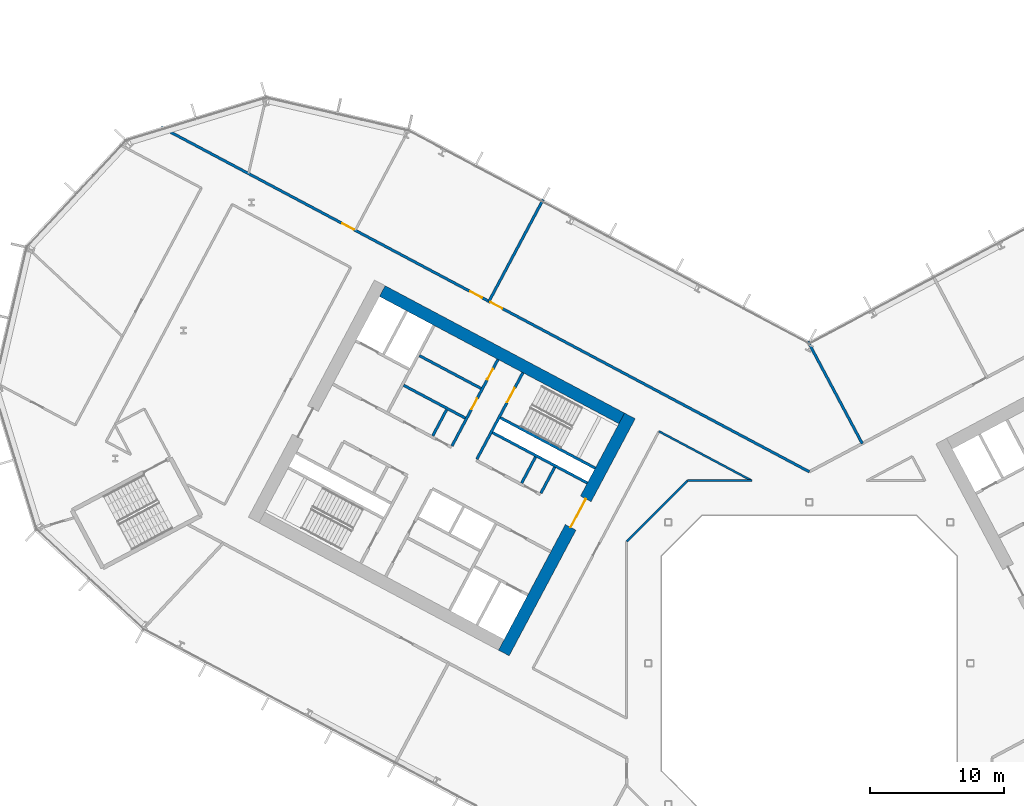
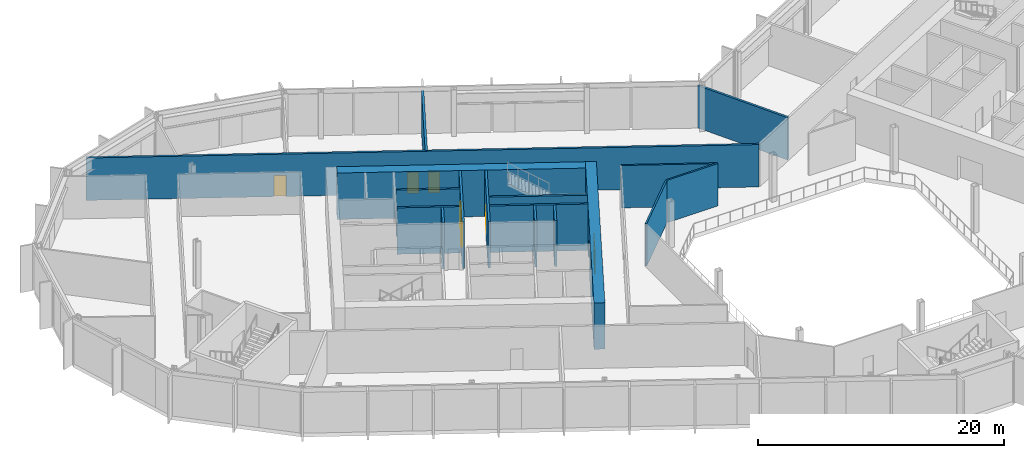
# One storey, part 16 of 31: 17 walls, 7 doors, 7 openings.
"""IFC4 building model written with IfcOpenShell, lengths in metres."""

import ifcopenshell
import ifcopenshell.guid

model = None  # the IFC model being written
_history = None  # IfcOwnerHistory: only IFC2X3 demands one
_inside = {}  # id of a spatial element -> (the spatial element, [elements in it])
_under = {}  # id of a project, library or spatial element -> (it, [spatial elements below it])
_declared = {}  # id of a project -> (the project, [libraries it declares])
_typed = {}  # id of a type object -> (the type object, [elements of that type])
_made_of = {}  # id of a material, layer set ... -> (it, [elements and type objects made of it])


def new_model(schema):
    """Start an empty IFC model of exactly this schema.

    Asked for "IFC4X3", IfcOpenShell would pick the latest addendum, in which some entities
    have other attributes; the version numbers below select the first issue.
    IFC2X3 requires an IfcOwnerHistory on every rooted entity: one is made here for all.
    """
    global model, _history
    if schema == "IFC4X3":
        model = ifcopenshell.file(schema_version=(4, 3, 0, 0))
    else:
        model = ifcopenshell.file(schema=schema)
    _inside.clear()
    _under.clear()
    _declared.clear()
    _typed.clear()
    _made_of.clear()
    _history = None
    if model.schema == "IFC2X3":
        org = make("IfcOrganization", Name="unknown")
        user = make(
            "IfcPersonAndOrganization",
            ThePerson=make("IfcPerson", FamilyName="unknown"),
            TheOrganization=org,
        )
        app = make(
            "IfcApplication",
            ApplicationDeveloper=org,
            Version="unknown",
            ApplicationFullName="unknown",
            ApplicationIdentifier="unknown",
        )
        _history = make(
            "IfcOwnerHistory",
            OwningUser=user,
            OwningApplication=app,
            ChangeAction="ADDED",
            CreationDate=0,
        )
    return model


def make(cls, **values):
    """One entity of the class cls with the attributes given. An attribute that is None is left unset."""
    return model.create_entity(
        cls, **{name: value for name, value in values.items() if value is not None}
    )


def rooted(cls, **values):
    """An entity with a GlobalId (a new one), such as an element, a storey or a relation."""
    return make(cls, GlobalId=ifcopenshell.guid.new(), OwnerHistory=_history, **values)


def si_unit(unit_type, name, prefix=None):
    """IfcSIUnit, for example si_unit("LENGTHUNIT", "METRE", prefix="MILLI")."""
    return make("IfcSIUnit", UnitType=unit_type, Prefix=prefix, Name=name)


def assignment(units):
    """IfcUnitAssignment: the units of a project."""
    return None if units is None else make("IfcUnitAssignment", Units=units)


def point(xyz):
    """IfcCartesianPoint."""
    return None if xyz is None else make("IfcCartesianPoint", Coordinates=xyz)


def direction(xyz):
    """IfcDirection."""
    return None if xyz is None else make("IfcDirection", DirectionRatios=xyz)


def frame(location, z_axis=None, x_axis=None):
    """IfcAxis2Placement3D, a coordinate frame: its origin and axes. An axis left out is left unset."""
    return make(
        "IfcAxis2Placement3D",
        Location=point(location),
        Axis=direction(z_axis),
        RefDirection=direction(x_axis),
    )


def frame_2d(location, x_axis=None):
    """IfcAxis2Placement2D, a coordinate frame in the plane: its origin and x axis."""
    return make(
        "IfcAxis2Placement2D", Location=point(location), RefDirection=direction(x_axis)
    )


def origin():
    """The frame at (0, 0, 0) with its axes left unset."""
    return frame((0.0, 0.0, 0.0))


def place(relative_to, where):
    """IfcLocalPlacement: puts the frame where relative to a parent placement (None: the world)."""
    return make(
        "IfcLocalPlacement", PlacementRelTo=relative_to, RelativePlacement=where
    )


def context(
    kind, dimensions, precision=None, world=None, true_north=None, identifier=None
):
    """IfcGeometricRepresentationContext, for example the 3D "Model" context."""
    return make(
        "IfcGeometricRepresentationContext",
        ContextIdentifier=identifier,
        ContextType=kind,
        CoordinateSpaceDimension=dimensions,
        Precision=precision,
        WorldCoordinateSystem=world,
        TrueNorth=true_north,
    )


def subcontext(parent, identifier, kind, view, scale=None):
    """IfcGeometricRepresentationSubContext, for example "Body" below "Model"."""
    return make(
        "IfcGeometricRepresentationSubContext",
        ContextIdentifier=identifier,
        ContextType=kind,
        ParentContext=parent,
        TargetScale=scale,
        TargetView=view,
    )


def project(units=None, contexts=None):
    """IfcProject with its units and contexts."""
    return rooted(
        "IfcProject",
        Name="project",
        RepresentationContexts=contexts,
        UnitsInContext=assignment(units),
    )


def spatial(cls, under=None, at=None, **own):
    """A site, building, storey or space (cls), placed at a placement, below another one or the project."""
    s = rooted(cls, ObjectPlacement=at, **own)
    if under is not None:
        _under.setdefault(under.id(), (under, []))[1].append(s)
    return s


def profile(cls, at=None, kind="AREA", **sizes):
    """A parametric profile (cls). Its sizes go by their IFC names, for example OverallWidth=200.0."""
    return make(cls, ProfileType=kind, Position=at, **sizes)


def rectangle(**sizes):
    """IfcRectangleProfileDef."""
    return profile("IfcRectangleProfileDef", **sizes)


def extrude(swept, where, along, depth):
    """IfcExtrudedAreaSolid: the profile swept, set in the frame where, extruded along a direction by depth."""
    return make(
        "IfcExtrudedAreaSolid",
        SweptArea=swept,
        Position=where,
        ExtrudedDirection=direction(along),
        Depth=depth,
    )


def shape(context_of_items, identifier, shape_type, items):
    """IfcShapeRepresentation: the items that make up one representation, for example the "Body"."""
    return make(
        "IfcShapeRepresentation",
        ContextOfItems=context_of_items,
        RepresentationIdentifier=identifier,
        RepresentationType=shape_type,
        Items=items,
    )


def material(Name=None, Category=None):
    """IfcMaterial."""
    return make("IfcMaterial", Name=Name, Category=Category)


def layer(
    of_material, thickness, ventilated=None, Name=None, Category=None, Priority=None
):
    """IfcMaterialLayer: one layer of a wall or slab, of a material (None: an air gap)."""
    return make(
        "IfcMaterialLayer",
        Material=of_material,
        LayerThickness=thickness,
        IsVentilated=ventilated,
        Name=Name,
        Category=Category,
        Priority=Priority,
    )


def layer_set(layers, Name=None):
    """IfcMaterialLayerSet."""
    return make("IfcMaterialLayerSet", MaterialLayers=layers, LayerSetName=Name)


def made_of(thing, what):
    """Note that an element or type object is made of a material, layer set ...; save() writes the relation."""
    if what is not None:
        _made_of.setdefault(what.id(), (what, []))[1].append(thing)
    return thing


def type_object(cls, material=None, **own):
    """A type object (cls), such as IfcWallType, which elements share."""
    return made_of(rooted(cls, **own), material)


def element(
    cls,
    number,
    at=None,
    inside=None,
    cuts=None,
    type_object=None,
    material=None,
    context=None,
    identifier="Body",
    shape_type=None,
    held_by="IfcProductDefinitionShape",
    body=None,
    shapes=None,
    **own,
):
    """One element of the class cls, such as IfcWall. Its Tag is "e" and its number.

    at: its placement. inside: the storey or other place that contains it. cuts: it is an
    opening in that element (IfcRelVoidsElement). A single representation is given by context,
    identifier, shape_type and body (its items); several are given by shapes. held_by: the class
    of the entity that holds the representations. save() writes the other relations.
    """
    e = rooted(cls, Tag="e%d" % number, ObjectPlacement=at, **own)
    if body is not None:
        shapes = [shape(context, identifier, shape_type, body)]
    if shapes is not None:
        e.Representation = make(held_by, Representations=shapes)
    if inside is not None:
        _inside.setdefault(inside.id(), (inside, []))[1].append(e)
    if cuts is not None:
        rooted(
            "IfcRelVoidsElement", RelatingBuildingElement=cuts, RelatedOpeningElement=e
        )
    if type_object is not None:
        _typed.setdefault(type_object.id(), (type_object, []))[1].append(e)
    return made_of(e, material)


def fill(opening, filler):
    """IfcRelFillsElement: the door or window that sits in an opening."""
    return rooted(
        "IfcRelFillsElement",
        RelatingOpeningElement=opening,
        RelatedBuildingElement=filler,
    )


def aggregate(whole, parts):
    """IfcRelAggregates: a whole, such as a stair, and the parts it consists of."""
    return rooted("IfcRelAggregates", RelatingObject=whole, RelatedObjects=parts)


def save(model, path):
    """Write the relations noted so far, then the file.

    IfcRelAggregates (storeys below a building ...), IfcRelContainedInSpatialStructure (elements
    in a storey), IfcRelDefinesByType, IfcRelAssociatesMaterial and IfcRelDeclares: one each for
    every whole, place, type object, material and project.
    """
    for whole, parts in _under.values():
        aggregate(whole, parts)
    for where, things in _inside.values():
        rooted(
            "IfcRelContainedInSpatialStructure",
            RelatedElements=things,
            RelatingStructure=where,
        )
    for kind, things in _typed.values():
        rooted("IfcRelDefinesByType", RelatedObjects=things, RelatingType=kind)
    for what, things in _made_of.values():
        rooted("IfcRelAssociatesMaterial", RelatedObjects=things, RelatingMaterial=what)
    for by, libraries in _declared.values():
        rooted("IfcRelDeclares", RelatingContext=by, RelatedDefinitions=libraries)
    model.write(path)


model = new_model("IFC4")

# Units and contexts
model_context = context("Model", 3, precision=1e-05, world=origin(), true_north=direction((0.0, 1.0)))
body_context = subcontext(model_context, "Body", "Model", "MODEL_VIEW")
ifc_project = project(units=[si_unit("LENGTHUNIT", "METRE"), si_unit("AREAUNIT", "SQUARE_METRE"), si_unit("VOLUMEUNIT", "CUBIC_METRE"), si_unit("PLANEANGLEUNIT", "RADIAN"), si_unit("MASSUNIT", "GRAM", prefix="KILO")], contexts=[model_context])

# Site, building, storey
site_placement = place(None, origin())
site = spatial("IfcSite", under=ifc_project, at=site_placement, CompositionType="ELEMENT")
building_placement = place(site_placement, origin())
building = spatial("IfcBuilding", under=site, at=building_placement, Name="Cormorant Relay Tower", CompositionType="ELEMENT")
storey_placement = place(building_placement, frame((0.0, 0.0, 93.800048828125)))
storey = spatial("IfcBuildingStorey", under=building, at=storey_placement, Name="L18", CompositionType="ELEMENT", Elevation=93.800048828125)

# Walls
ifc_material_1 = material(Name="Concrete 40 MPa", Category="concrete")
ifc_layer_1 = layer(ifc_material_1, 0.199951171875)
ifc_layer_set_1 = layer_set([ifc_layer_1], Name="Core internal wall 200")
wall_type_1 = type_object("IfcWallType", Name="Core internal wall 200", PredefinedType="SOLIDWALL", material=ifc_layer_set_1)
for number, where, z_axis, x_axis, name in (
    (1, (-20.39013671875, 15.371826171875, 0.0), (0.0, 0.0, 1.0), (-0.4694473164, -0.882960484464, 0.0), "L18 core A shaft and room wall"),
    (2, (-27.01220703125, 18.892822265625, 0.0), (0.0, 0.0, 1.0), (-0.4694473164, -0.882960484464, 0.0), "L18 core A shaft and room wall"),
):
    element("IfcWall", number, at=place(storey_placement, frame(where, z_axis=z_axis, x_axis=x_axis)), inside=storey, type_object=wall_type_1, Name=name, PredefinedType="SOLIDWALL", context=body_context, shape_type="SweptSolid", body=[
        extrude(rectangle(XDim=2.199951171875, YDim=0.199951171875, at=frame_2d((1.10009765625, 0.0))), origin(), (0.0, 0.0, 1.0), 4.599853515625),
    ])
wall_1_placement = place(storey_placement, frame((-24.449462890625, 20.474853515625, 0.0), z_axis=(0.0, 0.0, 1.0), x_axis=(-0.882934506056, 0.469496174655, 0.0)))
element("IfcWall", 3, at=wall_1_placement, inside=storey, type_object=wall_type_1, Name="L18 core A shaft and room wall", PredefinedType="SOLIDWALL", context=body_context, shape_type="SweptSolid", body=[
    extrude(rectangle(XDim=5.199951171875, YDim=0.199951171875, at=frame_2d((2.60009765625, 0.0))), origin(), (0.0, 0.0, 1.0), 4.599853515625),
])
ifc_material_2 = material(Name="Concrete 50 MPa", Category="concrete")
ifc_layer_2 = layer(ifc_material_2, 0.199951171875)
ifc_layer_set_2 = layer_set([ifc_layer_2], Name="Core shaft wall 200")
wall_type_2 = type_object("IfcWallType", Name="Core shaft wall 200", PredefinedType="SHEAR", material=ifc_layer_set_2)
wall_2_placement = place(storey_placement, frame((-18.959716796875, 14.611328125, 0.0), z_axis=(0.0, 0.0, 1.0), x_axis=(-0.4694473164, -0.882960484464, 0.0)))
element("IfcWall", 4, at=wall_2_placement, inside=storey, type_object=wall_type_2, Name="L18 core A shaft wall", PredefinedType="SHEAR", context=body_context, shape_type="SweptSolid", body=[
    extrude(rectangle(XDim=2.199951171875, YDim=0.199951171875, at=frame_2d((1.10009765625, 0.0))), origin(), (0.0, 0.0, 1.0), 4.599853515625),
])

# Wall, opening, door
wall_3_placement = place(storey_placement, frame((-21.333251953125, 21.6494140625, 0.0), z_axis=(0.0, 0.0, 1.0), x_axis=(-0.469494272526, -0.882935517501, 0.0)))
wall_3 = element("IfcWall", 5, at=wall_3_placement, inside=storey, type_object=wall_type_2, Name="L18 core A shaft wall", PredefinedType="SHEAR", context=body_context, shape_type="SweptSolid", body=[
    extrude(rectangle(XDim=7.2998046875, YDim=0.199951171875, at=frame_2d((3.64990234375, 0.0))), origin(), (0.0, 0.0, 1.0), 4.599853515625),
])
opening_1_placement = place(wall_3_placement, frame((1.300048828125, 0.0, 0.0)))
opening_1 = element("IfcOpeningElement", 6, at=opening_1_placement, cuts=wall_3, Name="Opening CDB-024", PredefinedType="OPENING", context=body_context, shape_type="SweptSolid", body=[
    extrude(rectangle(XDim=1.199951171875, YDim=2.10009765625, at=frame_2d((0.60009765625, 1.050048828125))), frame((0.0, 0.10986328125, 0.0), z_axis=(0.0, -1.0, 0.0), x_axis=(1.0, 0.0, 0.0)), (0.0, 0.0, 1.0), 0.219970703125),
])
ifc_material_3 = material(Name="Steel fire door", Category="steel")
door_type_1 = type_object("IfcDoorType", Name="Core stair door 1200x2100", OperationType="SINGLE_SWING_LEFT", PredefinedType="DOOR", material=ifc_material_3)
door_1_placement = place(opening_1_placement, origin())
door_1 = element("IfcDoor", 7, at=door_1_placement, inside=storey, type_object=door_type_1, Name="Core stair door 1200x2100", OperationType="SINGLE_SWING_RIGHT", OverallHeight=2.10009765625, OverallWidth=1.199951171875, PredefinedType="DOOR", context=body_context, shape_type="SweptSolid", body=[
    extrude(rectangle(XDim=1.199951171875, YDim=2.10009765625, at=frame_2d((0.60009765625, 1.050048828125))), frame((0.0, 0.02490234375, 0.0), z_axis=(0.0, -1.0, 0.0), x_axis=(1.0, 0.0, 0.0)), (0.0, 0.0, 1.0), 0.050048828125),
])
fill(opening_1, door_1)

# Wall, openings, doors
wall_4_placement = place(storey_placement, frame((-23.1875, 22.635498046875, 0.0), z_axis=(0.0, 0.0, 1.0), x_axis=(-0.469454336211, -0.882956752176, 0.0)))
wall_4 = element("IfcWall", 8, at=wall_4_placement, inside=storey, type_object=wall_type_2, Name="L18 core A shaft wall", PredefinedType="SHEAR", context=body_context, shape_type="SweptSolid", body=[
    extrude(rectangle(XDim=7.300048828125, YDim=0.199951171875, at=frame_2d((3.64990234375, 0.0))), origin(), (0.0, 0.0, 1.0), 4.599853515625),
])
opening_2_placement = place(wall_4_placement, frame((0.800048828125, 0.0, 0.0)))
opening_2 = element("IfcOpeningElement", 9, at=opening_2_placement, cuts=wall_4, Name="Opening CDD-117", PredefinedType="OPENING", context=body_context, shape_type="SweptSolid", body=[
    extrude(rectangle(XDim=0.89990234375, YDim=2.10009765625, at=frame_2d((0.449951171875, 1.050048828125))), frame((0.0, 0.10986328125, 0.0), z_axis=(0.0, -1.0, 0.0), x_axis=(1.0, 0.0, 0.0)), (0.0, 0.0, 1.0), 0.219970703125),
])
opening_3_placement = place(wall_4_placement, frame((3.300048828125, 0.0, 0.0)))
opening_3 = element("IfcOpeningElement", 10, at=opening_3_placement, cuts=wall_4, Name="Opening CDD-140", PredefinedType="OPENING", context=body_context, shape_type="SweptSolid", body=[
    extrude(rectangle(XDim=0.89990234375, YDim=2.10009765625, at=frame_2d((0.449951171875, 1.050048828125))), frame((0.0, 0.10986328125, 0.0), z_axis=(0.0, -1.0, 0.0), x_axis=(1.0, 0.0, 0.0)), (0.0, 0.0, 1.0), 0.219970703125),
])
ifc_material_4 = material(Name="Steel fire door", Category="steel")
door_type_2 = type_object("IfcDoorType", Name="Core room door 900x2100", OperationType="SINGLE_SWING_LEFT", PredefinedType="DOOR", material=ifc_material_4)
door_2_placement = place(opening_2_placement, origin())
door_2 = element("IfcDoor", 11, at=door_2_placement, inside=storey, type_object=door_type_2, Name="Core room door 900x2100", OperationType="SINGLE_SWING_LEFT", OverallHeight=2.10009765625, OverallWidth=0.89990234375, PredefinedType="DOOR", context=body_context, shape_type="SweptSolid", body=[
    extrude(rectangle(XDim=0.89990234375, YDim=2.10009765625, at=frame_2d((0.449951171875, 1.050048828125))), frame((0.0, 0.02490234375, 0.0), z_axis=(0.0, -1.0, 0.0), x_axis=(1.0, 0.0, 0.0)), (0.0, 0.0, 1.0), 0.050048828125),
])
fill(opening_2, door_2)
door_3_placement = place(opening_3_placement, frame((0.89990234375, 0.0, 0.0), z_axis=(0.0, 0.0, 1.0), x_axis=(-1.0, 0.0, 0.0)))
door_3 = element("IfcDoor", 12, at=door_3_placement, inside=storey, type_object=door_type_2, Name="Core room door 900x2100", OperationType="SINGLE_SWING_RIGHT", OverallHeight=2.10009765625, OverallWidth=0.89990234375, PredefinedType="DOOR", context=body_context, shape_type="SweptSolid", body=[
    extrude(rectangle(XDim=0.89990234375, YDim=2.10009765625, at=frame_2d((0.449951171875, 1.050048828125))), frame((0.0, 0.02490234375, 0.0), z_axis=(0.0, -1.0, 0.0), x_axis=(1.0, 0.0, 0.0)), (0.0, 0.0, 1.0), 0.050048828125),
])
fill(opening_3, door_3)

# Walls
wall_5_placement = place(storey_placement, frame((-15.94189453125, 14.53564453125, 0.0), z_axis=(0.0, 0.0, 1.0), x_axis=(-0.882946947542, 0.469472776449, 0.0)))
element("IfcWall", 13, at=wall_5_placement, inside=storey, type_object=wall_type_2, Name="L18 core A shaft wall", PredefinedType="SHEAR", context=body_context, shape_type="SweptSolid", body=[
    extrude(rectangle(XDim=8.000244140625, YDim=0.199951171875, at=frame_2d((4.0, 0.0))), origin(), (0.0, 0.0, 1.0), 4.599853515625),
])
wall_6_placement = place(storey_placement, frame((-16.52880859375, 13.43212890625, 0.0), z_axis=(0.0, 0.0, 1.0), x_axis=(-0.88295287151, 0.469461634952, 0.0)))
element("IfcWall", 14, at=wall_6_placement, inside=storey, type_object=wall_type_2, Name="L18 core A shaft wall", PredefinedType="SHEAR", context=body_context, shape_type="SweptSolid", body=[
    extrude(rectangle(XDim=7.999755859375, YDim=0.199951171875, at=frame_2d((4.0, 0.0))), origin(), (0.0, 0.0, 1.0), 4.599853515625),
])
wall_7_placement = place(storey_placement, frame((-25.623046875, 18.267578125, 0.0), z_axis=(0.0, 0.0, 1.0), x_axis=(-0.882953967957, 0.469459572775, 0.0)))
element("IfcWall", 15, at=wall_7_placement, inside=storey, type_object=wall_type_2, Name="L18 core A shaft wall", PredefinedType="SHEAR", context=body_context, shape_type="SweptSolid", body=[
    extrude(rectangle(XDim=5.199951171875, YDim=0.199951171875, at=frame_2d((2.60009765625, 0.0))), origin(), (0.0, 0.0, 1.0), 4.599853515625),
])

# Wall, opening, door
ifc_material_5 = material(Name="Concrete 70 MPa", Category="concrete")
ifc_layer_3 = layer(ifc_material_5, 0.89990234375)
ifc_layer_set_3 = layer_set([ifc_layer_3], Name="Core wall 900")
wall_type_3 = type_object("IfcWallType", Name="Core wall 900", PredefinedType="SHEAR", material=ifc_layer_set_3)
wall_8_placement = place(storey_placement, frame((-13.361572265625, 18.43017578125, 0.0), z_axis=(0.0, 0.0, 1.0), x_axis=(-0.46947084998, -0.882947971864, 0.0)))
wall_8 = element("IfcWall", 16, at=wall_8_placement, inside=storey, type_object=wall_type_3, Name="L18 core A wall", PredefinedType="SHEAR", context=body_context, shape_type="SweptSolid", body=[
    extrude(rectangle(XDim=20.0, YDim=0.89990234375, at=frame_2d((10.0, 0.0))), origin(), (0.0, 0.0, 1.0), 4.599853515625),
])
opening_4_placement = place(wall_8_placement, frame((7.0, 0.0, 0.0)))
opening_4 = element("IfcOpeningElement", 17, at=opening_4_placement, cuts=wall_8, Name="Opening CDA-017", PredefinedType="OPENING", context=body_context, shape_type="SweptSolid", body=[
    extrude(rectangle(XDim=2.39990234375, YDim=2.39990234375, at=frame_2d((1.199951171875, 1.199951171875))), frame((0.0, 0.4599609375, 0.0), z_axis=(0.0, -1.0, 0.0), x_axis=(1.0, 0.0, 0.0)), (0.0, 0.0, 1.0), 0.919921875),
])
ifc_material_6 = material(Name="Steel fire door", Category="steel")
door_type_3 = type_object("IfcDoorType", Name="Core lobby door 2400x2400", OperationType="DOUBLE_DOOR_SINGLE_SWING", PredefinedType="DOOR", material=ifc_material_6)
door_4_placement = place(opening_4_placement, frame((2.39990234375, 0.0, 0.0), z_axis=(0.0, 0.0, 1.0), x_axis=(-1.0, 0.0, 0.0)))
door_4 = element("IfcDoor", 18, at=door_4_placement, inside=storey, type_object=door_type_3, Name="Core lobby door 2400x2400", OperationType="DOUBLE_DOOR_SINGLE_SWING", OverallHeight=2.39990234375, OverallWidth=2.39990234375, PredefinedType="DOOR", context=body_context, shape_type="SweptSolid", body=[
    extrude(rectangle(XDim=2.39990234375, YDim=2.39990234375, at=frame_2d((1.199951171875, 1.199951171875))), frame((0.0, 0.02490234375, 0.0), z_axis=(0.0, -1.0, 0.0), x_axis=(1.0, 0.0, 0.0)), (0.0, 0.0, 1.0), 0.050048828125),
])
fill(opening_4, door_4)

# Wall
wall_9_placement = place(storey_placement, frame((-13.97021484375, 18.244140625, 0.0), z_axis=(0.0, 0.0, 1.0), x_axis=(-0.88294509198, 0.469476266226, 0.0)))
element("IfcWall", 19, at=wall_9_placement, inside=storey, type_object=wall_type_3, Name="L18 core A wall", PredefinedType="SHEAR", context=body_context, shape_type="SweptSolid", body=[
    extrude(rectangle(XDim=20.199951171875, YDim=0.89990234375, at=frame_2d((10.10009765625, 0.0))), origin(), (0.0, 0.0, 1.0), 4.599853515625),
])

# Wall, openings, doors
ifc_material_7 = material(Name="Fire-rated gypsum board partition")
ifc_layer_4 = layer(ifc_material_7, 0.199951171875)
ifc_layer_set_4 = layer_set([ifc_layer_4], Name="Fire-rated gypsum partition 200")
wall_type_4 = type_object("IfcWallType", Name="Fire-rated gypsum partition 200", PredefinedType="PARTITIONING", material=ifc_layer_set_4)
wall_10_placement = place(storey_placement, frame((-48.27099609375, 39.93603515625, 0.0), z_axis=(0.0, 0.0, 1.0), x_axis=(0.88294856545, -0.469469733604, 0.0)))
wall_10 = element("IfcWall", 20, at=wall_10_placement, inside=storey, type_object=wall_type_4, Name="wall/L18/part/14", PredefinedType="PARTITIONING", context=body_context, shape_type="SweptSolid", body=[
    extrude(rectangle(XDim=54.670166015625, YDim=0.199951171875, at=frame_2d((27.3349609375, 0.0))), origin(), (0.0, 0.0, 1.0), 4.199951171875),
])
opening_5_placement = place(wall_10_placement, frame((27.76611328125, 0.0, 0.0)))
opening_5 = element("IfcOpeningElement", 21, at=opening_5_placement, cuts=wall_10, Name="Opening FD1-114", PredefinedType="OPENING", context=body_context, shape_type="SweptSolid", body=[
    extrude(rectangle(XDim=1.0, YDim=2.10009765625, at=frame_2d((0.5, 1.050048828125))), frame((0.0, 0.10986328125, 0.0), z_axis=(0.0, -1.0, 0.0), x_axis=(1.0, 0.0, 0.0)), (0.0, 0.0, 1.0), 0.219970703125),
])
opening_6_placement = place(wall_10_placement, frame((26.06591796875, 0.0, 0.0)))
opening_6 = element("IfcOpeningElement", 22, at=opening_6_placement, cuts=wall_10, Name="Opening FD1-101", PredefinedType="OPENING", context=body_context, shape_type="SweptSolid", body=[
    extrude(rectangle(XDim=1.0, YDim=2.10009765625, at=frame_2d((0.5, 1.050048828125))), frame((0.0, 0.10986328125, 0.0), z_axis=(0.0, -1.0, 0.0), x_axis=(1.0, 0.0, 0.0)), (0.0, 0.0, 1.0), 0.219970703125),
])
opening_7_placement = place(wall_10_placement, frame((15.264892578125, 0.0, 0.0)))
opening_7 = element("IfcOpeningElement", 23, at=opening_7_placement, cuts=wall_10, Name="Opening FD1-102", PredefinedType="OPENING", context=body_context, shape_type="SweptSolid", body=[
    extrude(rectangle(XDim=1.0, YDim=2.10009765625, at=frame_2d((0.5, 1.050048828125))), frame((0.0, 0.10986328125, 0.0), z_axis=(0.0, -1.0, 0.0), x_axis=(1.0, 0.0, 0.0)), (0.0, 0.0, 1.0), 0.219970703125),
])
ifc_material_8 = material(Name="Fire-rated steel door", Category="steel")
door_type_4 = type_object("IfcDoorType", Name="Fire door 1000 x 2100", OperationType="SINGLE_SWING_LEFT", PredefinedType="DOOR", material=ifc_material_8)
door_5_placement = place(opening_5_placement, origin())
door_5 = element("IfcDoor", 24, at=door_5_placement, inside=storey, type_object=door_type_4, Name="door/L18/9", OperationType="SINGLE_SWING_LEFT", OverallHeight=2.10009765625, OverallWidth=1.0, PredefinedType="DOOR", context=body_context, shape_type="SweptSolid", body=[
    extrude(rectangle(XDim=1.0, YDim=2.10009765625, at=frame_2d((0.5, 1.050048828125))), frame((0.0, 0.02490234375, 0.0), z_axis=(0.0, -1.0, 0.0), x_axis=(1.0, 0.0, 0.0)), (0.0, 0.0, 1.0), 0.050048828125),
])
fill(opening_5, door_5)
door_6_placement = place(opening_6_placement, origin())
door_6 = element("IfcDoor", 25, at=door_6_placement, inside=storey, type_object=door_type_4, Name="door/L18/10", OperationType="SINGLE_SWING_RIGHT", OverallHeight=2.10009765625, OverallWidth=1.0, PredefinedType="DOOR", context=body_context, shape_type="SweptSolid", body=[
    extrude(rectangle(XDim=1.0, YDim=2.10009765625, at=frame_2d((0.5, 1.050048828125))), frame((0.0, 0.02490234375, 0.0), z_axis=(0.0, -1.0, 0.0), x_axis=(1.0, 0.0, 0.0)), (0.0, 0.0, 1.0), 0.050048828125),
])
fill(opening_6, door_6)
door_7_placement = place(opening_7_placement, origin())
door_7 = element("IfcDoor", 26, at=door_7_placement, inside=storey, type_object=door_type_4, Name="door/L18/11", OperationType="SINGLE_SWING_RIGHT", OverallHeight=2.10009765625, OverallWidth=1.0, PredefinedType="DOOR", context=body_context, shape_type="SweptSolid", body=[
    extrude(rectangle(XDim=1.0, YDim=2.10009765625, at=frame_2d((0.5, 1.050048828125))), frame((0.0, 0.02490234375, 0.0), z_axis=(0.0, -1.0, 0.0), x_axis=(1.0, 0.0, 0.0)), (0.0, 0.0, 1.0), 0.050048828125),
])
fill(opening_7, door_7)

# Walls
wall_11_placement = place(storey_placement, frame((-19.822021484375, 34.550048828125, 0.0), z_axis=(0.0, 0.0, 1.0), x_axis=(-0.469434046176, -0.882967539772, 0.0)))
element("IfcWall", 27, at=wall_11_placement, inside=storey, type_object=wall_type_4, Name="wall/L18/part/21", PredefinedType="PARTITIONING", context=body_context, shape_type="SweptSolid", body=[
    extrude(rectangle(XDim=8.599365234375, YDim=0.199951171875, at=frame_2d((4.2998046875, 0.0))), origin(), (0.0, 0.0, 1.0), 4.199951171875),
])
wall_12_placement = place(storey_placement, frame((-0.10498046875, 23.98388671875, 0.0), z_axis=(0.0, 0.0, 1.0), x_axis=(0.46938766067, -0.882992199292, 0.0)))
element("IfcWall", 28, at=wall_12_placement, inside=storey, type_object=wall_type_4, Name="wall/L18/part/22", PredefinedType="PARTITIONING", context=body_context, shape_type="SweptSolid", body=[
    extrude(rectangle(XDim=8.626220703125, YDim=0.199951171875, at=frame_2d((4.31298828125, 0.0))), origin(), (0.0, 0.0, 1.0), 4.199951171875),
])
ifc_material_9 = material(Name="Gypsum board partition")
ifc_layer_5 = layer(ifc_material_9, 0.14990234375)
ifc_layer_set_5 = layer_set([ifc_layer_5], Name="Gypsum board partition 150")
wall_type_5 = type_object("IfcWallType", Name="Gypsum board partition 150", PredefinedType="PARTITIONING", material=ifc_layer_set_5)
wall_13_placement = place(storey_placement, frame((-11.197998046875, 17.280029296875, 0.0), z_axis=(0.0, 0.0, 1.0), x_axis=(0.882946288452, -0.46947401601, 0.0)))
element("IfcWall", 29, at=wall_13_placement, inside=storey, type_object=wall_type_5, Name="wall/L18/part/57", PredefinedType="PARTITIONING", context=body_context, shape_type="SweptSolid", body=[
    extrude(rectangle(XDim=7.83837890625, YDim=0.14990234375, at=frame_2d((3.919189453125, 0.0))), origin(), (0.0, 0.0, 1.0), 4.199951171875),
])
wall_14_placement = place(storey_placement, frame((-4.277099609375, 13.60009765625, 0.0), z_axis=(0.0, 0.0, 1.0), x_axis=(-1.0, 0.0, 0.0)))
element("IfcWall", 30, at=wall_14_placement, inside=storey, type_object=wall_type_5, Name="wall/L18/part/58", PredefinedType="PARTITIONING", context=body_context, shape_type="SweptSolid", body=[
    extrude(rectangle(XDim=4.7998046875, YDim=0.14990234375, at=frame_2d((2.39990234375, 0.0))), origin(), (0.0, 0.0, 1.0), 4.199951171875),
])
wall_15_placement = place(storey_placement, frame((-9.076904296875, 13.60009765625, 0.0), z_axis=(0.0, 0.0, 1.0), x_axis=(-0.707106781187, -0.707106781187, 0.0)))
element("IfcWall", 31, at=wall_15_placement, inside=storey, type_object=wall_type_5, Name="wall/L18/part/59", PredefinedType="PARTITIONING", context=body_context, shape_type="SweptSolid", body=[
    extrude(rectangle(XDim=6.396728515625, YDim=0.14990234375, at=frame_2d((3.1982421875, 0.0))), origin(), (0.0, 0.0, 1.0), 4.199951171875),
])

save(model, "model.ifc")
